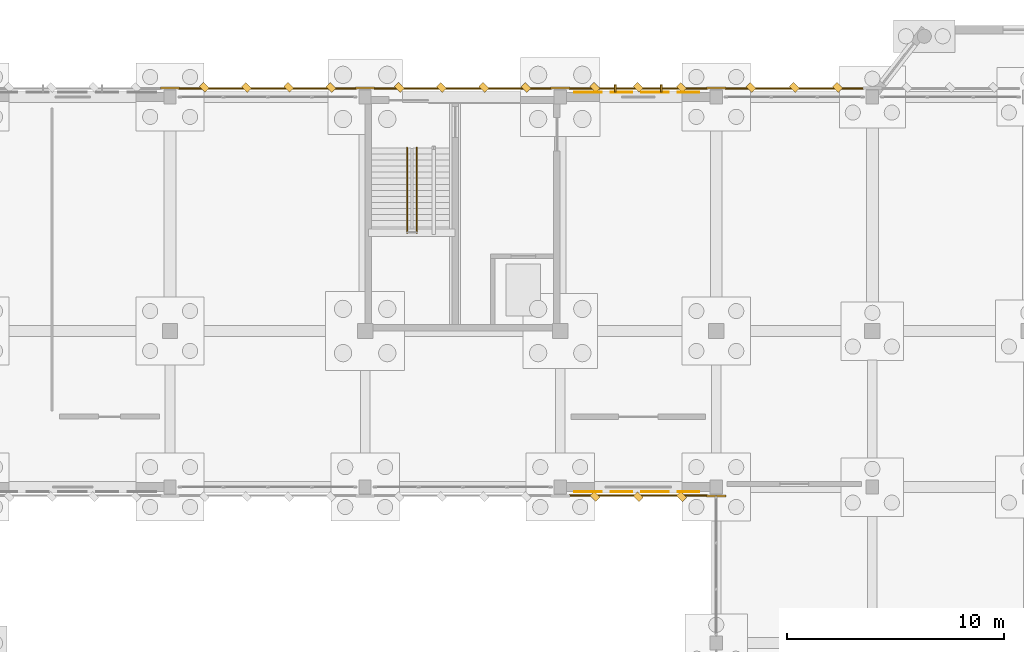
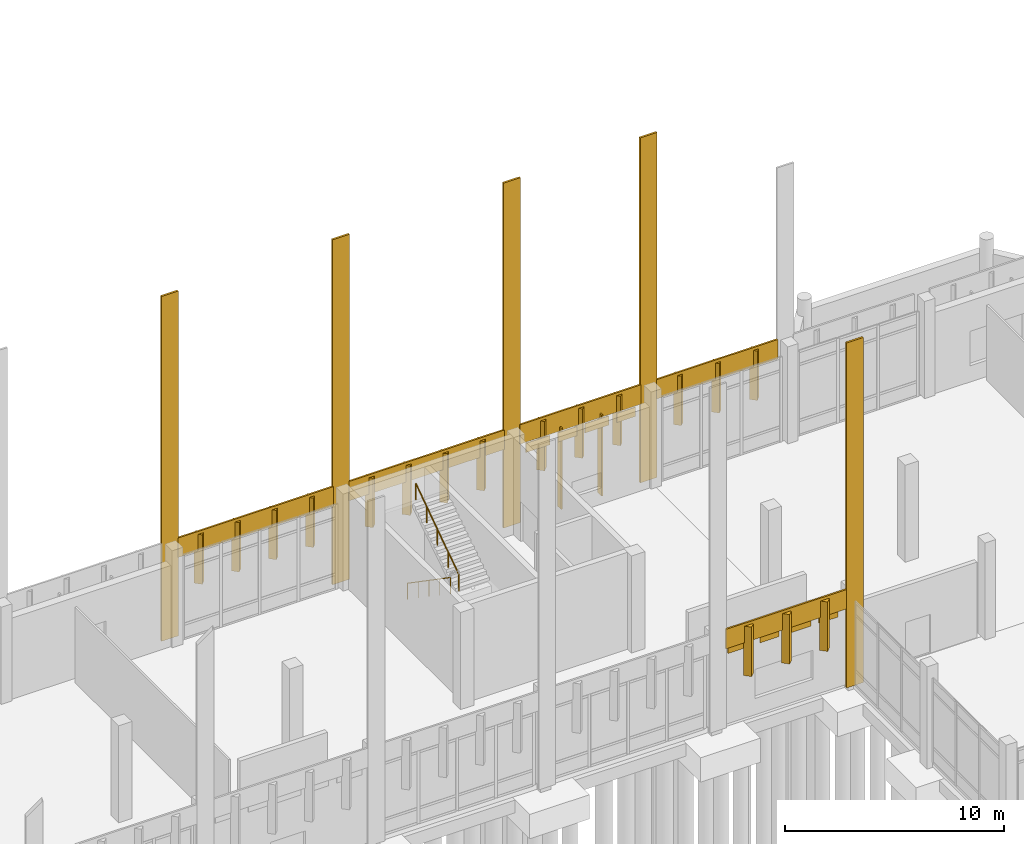
# One storey, part 104 of 109: 37 coverings, 2 railings.
"""IFC4 building model written with IfcOpenShell, lengths in metres."""

from ifc_helpers import new_model, si_unit, direction, frame, origin, origin_2d, place, context, subcontext, project, spatial, rectangle, circle, extrude, material, layer, layer_set, type_object, element, save


model = new_model("IFC4")

# Units and contexts
model_context = context("Model", 3, precision=1e-05, world=origin(), true_north=direction((0.0, 1.0)))
body_context = subcontext(model_context, "Body", "Model", "MODEL_VIEW")
ifc_project = project(units=[si_unit("LENGTHUNIT", "METRE"), si_unit("AREAUNIT", "SQUARE_METRE"), si_unit("VOLUMEUNIT", "CUBIC_METRE"), si_unit("PLANEANGLEUNIT", "RADIAN"), si_unit("MASSUNIT", "GRAM", prefix="KILO")], contexts=[model_context])

# Site, building, storey
site_placement = place(None, origin())
site = spatial("IfcSite", under=ifc_project, at=site_placement, CompositionType="ELEMENT")
building_placement = place(site_placement, origin())
building = spatial("IfcBuilding", under=site, at=building_placement, Name="Lusvemor Sports Hall", CompositionType="ELEMENT")
storey_placement = place(building_placement, origin())
storey = spatial("IfcBuildingStorey", under=building, at=storey_placement, Name="L00", CompositionType="ELEMENT", Elevation=0.0)

# Coverings
ifc_material_1 = material(Name="Precast granite-faced Concrete C40/50 architectural cladding", Category="masonry")
ifc_layer_1 = layer(ifc_material_1, 0.055908203125)
ifc_layer_set_1 = layer_set([ifc_layer_1], Name="Precast granite-faced Concrete C40/50 architectural cladding")
covering_type_1 = type_object("IfcCoveringType", Name="CLAD_RELIEF_FRIEZE", PredefinedType="CLADDING", material=ifc_layer_set_1)
for number, where, z_axis, x_axis, name in (
    (1, (93.60009765625, 115.610107421875, 0.0), (0.0, 0.0, 1.0), (1.0, 0.0, 0.0), "Art Nouveau Pilaster Cladding Casing 679"),
    (2, (102.60009765625, 115.610107421875, 0.0), (0.0, 0.0, 1.0), (1.0, 0.0, 0.0), "Art Nouveau Pilaster Cladding Casing 680"),
    (3, (111.60009765625, 115.610107421875, 0.0), (0.0, 0.0, 1.0), (1.0, 0.0, 0.0), "Art Nouveau Pilaster Cladding Casing 681"),
    (4, (118.800048828125, 115.610107421875, 0.0), (0.0, 0.0, 1.0), (1.0, 0.0, 0.0), "Art Nouveau Pilaster Cladding Casing 682"),
    (5, (118.800048828125, 96.7900390625, 0.0), (0.0, 0.0, 1.0), (1.0, 0.0, 0.0), "Art Nouveau Pilaster Cladding Casing 1161"),
):
    element("IfcCovering", number, at=place(storey_placement, frame(where, z_axis=z_axis, x_axis=x_axis)), inside=storey, type_object=covering_type_1, Name=name, PredefinedType="CLADDING", context=body_context, shape_type="SweptSolid", body=[
        extrude(rectangle(XDim=0.8798828125, YDim=0.10009765625, at=origin_2d()), origin(), (0.0, 0.0, 1.0), 19.199951171875),
    ])
ifc_material_2 = material(Name="Emerald polychrome glazed ceramic cladding on Concrete C40/50 backing", Category="concrete")
ifc_layer_2 = layer(ifc_material_2, 0.0458984375)
ifc_layer_set_2 = layer_set([ifc_layer_2], Name="Emerald polychrome glazed ceramic cladding on Concrete C40/50 backing")
covering_type_2 = type_object("IfcCoveringType", Name="CLAD_WAVE_EMERALD", PredefinedType="CLADDING", material=ifc_layer_set_2)
for number, where, z_axis, x_axis, name in (
    (6, (112.875, 115.41796875, 3.9248046875), (0.0, 0.0, 1.0), (1.0, 0.0, 0.0), "Art Nouveau Patterned Cladding PS-EW-L00-N-1-11-1"),
    (7, (115.97509765625, 115.41796875, 3.9248046875), (0.0, 0.0, 1.0), (1.0, 0.0, 0.0), "Art Nouveau Patterned Cladding PS-EW-L00-N-1-11-3"),
    (8, (112.875, 96.98193359375, 3.9248046875), (0.0, 0.0, 1.0), (1.0, 0.0, 0.0), "Art Nouveau Patterned Cladding PS-EW-L00-S-3-9-1"),
    (9, (115.97509765625, 96.98193359375, 3.9248046875), (0.0, 0.0, 1.0), (1.0, 0.0, 0.0), "Art Nouveau Patterned Cladding PS-EW-L00-S-3-9-3"),
):
    element("IfcCovering", number, at=place(storey_placement, frame(where, z_axis=z_axis, x_axis=x_axis)), inside=storey, type_object=covering_type_2, Name=name, PredefinedType="CLADDING", context=body_context, shape_type="SweptSolid", body=[
        extrude(rectangle(XDim=1.27099609375, YDim=0.0458984375, at=origin_2d()), origin(), (0.0, 0.0, 1.0), 0.510009765625),
    ])
for number, where, z_axis, x_axis, name in (
    (10, (97.125, 115.639892578125, 2.550048828125), (0.0, 0.0, 1.0), (0.707106781187, 0.707106781187, 0.0), "Patterned Diamond Cladding Rib 749"),
    (11, (101.02490234375, 115.639892578125, 2.550048828125), (0.0, 0.0, 1.0), (0.707106781187, 0.707106781187, 0.0), "Patterned Diamond Cladding Rib 751"),
    (12, (106.125, 115.639892578125, 2.550048828125), (0.0, 0.0, 1.0), (0.707106781187, 0.707106781187, 0.0), "Patterned Diamond Cladding Rib 769"),
    (13, (110.02490234375, 115.639892578125, 2.550048828125), (0.0, 0.0, 1.0), (0.707106781187, 0.707106781187, 0.0), "Patterned Diamond Cladding Rib 771"),
    (14, (115.199951171875, 115.639892578125, 2.550048828125), (0.0, 0.0, 1.0), (0.707106781187, 0.707106781187, 0.0), "Patterned Diamond Cladding Rib 789"),
    (15, (122.39990234375, 115.639892578125, 2.550048828125), (0.0, 0.0, 1.0), (0.707106781187, 0.707106781187, 0.0), "Patterned Diamond Cladding Rib 812"),
    (16, (115.199951171875, 96.760009765625, 2.550048828125), (0.0, 0.0, 1.0), (0.707106781187, 0.707106781187, 0.0), "Patterned Diamond Cladding Rib 1364"),
):
    element("IfcCovering", number, at=place(storey_placement, frame(where, z_axis=z_axis, x_axis=x_axis)), inside=storey, type_object=covering_type_2, Name=name, PredefinedType="CLADDING", context=body_context, shape_type="SweptSolid", body=[
        extrude(rectangle(XDim=0.280029296875, YDim=0.3798828125, at=origin_2d()), origin(), (0.0, 0.0, 1.0), 2.75),
    ])
ifc_material_3 = material(Name="Warm terracotta Art Nouveau ceramic cladding on Concrete C40/50 backing", Category="masonry")
ifc_layer_3 = layer(ifc_material_3, 0.0380859375)
ifc_layer_set_3 = layer_set([ifc_layer_3], Name="Warm terracotta Art Nouveau ceramic cladding on Concrete C40/50 backing")
covering_type_3 = type_object("IfcCoveringType", Name="CLAD_WAVE_OCHRE", PredefinedType="CLADDING", material=ifc_layer_set_3)
for number, where, z_axis, x_axis, name in (
    (17, (114.425048828125, 115.4140625, 3.9248046875), (0.0, 0.0, 1.0), (1.0, 0.0, 0.0), "Art Nouveau Patterned Cladding PS-EW-L00-N-1-11-2"),
    (18, (117.52490234375, 115.4140625, 3.9248046875), (0.0, 0.0, 1.0), (1.0, 0.0, 0.0), "Art Nouveau Patterned Cladding PS-EW-L00-N-1-11-4"),
    (19, (114.425048828125, 96.986083984375, 3.9248046875), (0.0, 0.0, 1.0), (1.0, 0.0, 0.0), "Art Nouveau Patterned Cladding PS-EW-L00-S-3-9-2"),
    (20, (117.52490234375, 96.986083984375, 3.9248046875), (0.0, 0.0, 1.0), (1.0, 0.0, 0.0), "Art Nouveau Patterned Cladding PS-EW-L00-S-3-9-4"),
):
    element("IfcCovering", number, at=place(storey_placement, frame(where, z_axis=z_axis, x_axis=x_axis)), inside=storey, type_object=covering_type_3, Name=name, PredefinedType="CLADDING", context=body_context, shape_type="SweptSolid", body=[
        extrude(rectangle(XDim=0.991943359375, YDim=0.0380859375, at=origin_2d()), origin(), (0.0, 0.0, 1.0), 0.510009765625),
    ])
for number, where, z_axis, x_axis, name in (
    (21, (98.10009765625, 115.590087890625, 4.3798828125), (0.0, 0.0, 1.0), (1.0, 0.0, 0.0), "Art Nouveau Spandrel Cornice 747"),
    (22, (107.10009765625, 115.590087890625, 4.3798828125), (0.0, 0.0, 1.0), (1.0, 0.0, 0.0), "Art Nouveau Spandrel Cornice 767"),
):
    element("IfcCovering", number, at=place(storey_placement, frame(where, z_axis=z_axis, x_axis=x_axis)), inside=storey, type_object=covering_type_3, Name=name, PredefinedType="CLADDING", context=body_context, shape_type="SweptSolid", body=[
        extrude(rectangle(XDim=8.179931640625, YDim=0.090087890625, at=origin_2d()), origin(), (0.0, 0.0, 1.0), 1.080078125),
    ])
for number, where, z_axis, x_axis, name in (
    (23, (115.199951171875, 115.590087890625, 4.3798828125), (0.0, 0.0, 1.0), (1.0, 0.0, 0.0), "Art Nouveau Spandrel Cornice 787"),
    (24, (122.39990234375, 115.590087890625, 4.3798828125), (0.0, 0.0, 1.0), (1.0, 0.0, 0.0), "Art Nouveau Spandrel Cornice 810"),
    (25, (115.199951171875, 96.81005859375, 4.3798828125), (0.0, 0.0, 1.0), (1.0, 0.0, 0.0), "Art Nouveau Spandrel Cornice 1362"),
):
    element("IfcCovering", number, at=place(storey_placement, frame(where, z_axis=z_axis, x_axis=x_axis)), inside=storey, type_object=covering_type_3, Name=name, PredefinedType="CLADDING", context=body_context, shape_type="SweptSolid", body=[
        extrude(rectangle(XDim=6.3798828125, YDim=0.090087890625, at=origin_2d()), origin(), (0.0, 0.0, 1.0), 1.080078125),
    ])
ifc_material_4 = material(Name="Emerald polychrome glazed ceramic cladding on Concrete C40/50 backing", Category="concrete")
ifc_layer_4 = layer(ifc_material_4, 0.35009765625)
ifc_layer_set_4 = layer_set([ifc_layer_4], Name="Emerald polychrome glazed ceramic cladding on Concrete C40/50 backing")
covering_type_4 = type_object("IfcCoveringType", Name="FIN_BRISE_CER_350", PredefinedType="MOLDING", material=ifc_layer_set_4)
for number, where, z_axis, x_axis, name in (
    (26, (114.139892578125, 115.580078125, 0.10009765625), (0.0, 0.0, 1.0), (1.0, 0.0, 0.0), "Wing Brise-Soleil Fin L00-N-1-11-1"),
    (27, (116.260009765625, 115.580078125, 0.10009765625), (0.0, 0.0, 1.0), (1.0, 0.0, 0.0), "Wing Brise-Soleil Fin L00-N-1-11-2"),
):
    element("IfcCovering", number, at=place(storey_placement, frame(where, z_axis=z_axis, x_axis=x_axis)), inside=storey, type_object=covering_type_4, Name=name, PredefinedType="MOLDING", context=body_context, shape_type="SweptSolid", body=[
        extrude(rectangle(XDim=0.080078125, YDim=0.35009765625, at=origin_2d()), origin(), (0.0, 0.0, 1.0), 4.52001953125),
    ])
ifc_material_5 = material(Name="Warm terracotta Art Nouveau ceramic cladding on Concrete C40/50 backing", Category="masonry")
ifc_layer_5 = layer(ifc_material_5, 0.449951171875)
ifc_layer_set_5 = layer_set([ifc_layer_5], Name="Warm terracotta Art Nouveau ceramic cladding on Concrete C40/50 backing")
covering_type_5 = type_object("IfcCoveringType", Name="FIN_BRISE_CER_450", PredefinedType="MOLDING", material=ifc_layer_set_5)
for number, where, z_axis, x_axis, name in (
    (28, (95.175048828125, 115.639892578125, 2.550048828125), (0.0, 0.0, 1.0), (0.707106781187, 0.707106781187, 0.0), "Patterned Diamond Cladding Rib 748"),
    (29, (99.074951171875, 115.639892578125, 2.550048828125), (0.0, 0.0, 1.0), (0.707106781187, 0.707106781187, 0.0), "Patterned Diamond Cladding Rib 750"),
    (30, (104.175048828125, 115.639892578125, 2.550048828125), (0.0, 0.0, 1.0), (0.707106781187, 0.707106781187, 0.0), "Patterned Diamond Cladding Rib 768"),
    (31, (108.074951171875, 115.639892578125, 2.550048828125), (0.0, 0.0, 1.0), (0.707106781187, 0.707106781187, 0.0), "Patterned Diamond Cladding Rib 770"),
    (32, (113.199951171875, 115.639892578125, 2.550048828125), (0.0, 0.0, 1.0), (0.707106781187, 0.707106781187, 0.0), "Patterned Diamond Cladding Rib 788"),
    (33, (117.199951171875, 115.639892578125, 2.550048828125), (0.0, 0.0, 1.0), (0.707106781187, 0.707106781187, 0.0), "Patterned Diamond Cladding Rib 790"),
    (34, (120.39990234375, 115.639892578125, 2.550048828125), (0.0, 0.0, 1.0), (0.707106781187, 0.707106781187, 0.0), "Patterned Diamond Cladding Rib 811"),
    (35, (124.39990234375, 115.639892578125, 2.550048828125), (0.0, 0.0, 1.0), (0.707106781187, 0.707106781187, 0.0), "Patterned Diamond Cladding Rib 813"),
    (36, (113.199951171875, 96.760009765625, 2.550048828125), (0.0, 0.0, 1.0), (0.707106781187, 0.707106781187, 0.0), "Patterned Diamond Cladding Rib 1363"),
    (37, (117.199951171875, 96.760009765625, 2.550048828125), (0.0, 0.0, 1.0), (0.707106781187, 0.707106781187, 0.0), "Patterned Diamond Cladding Rib 1365"),
):
    element("IfcCovering", number, at=place(storey_placement, frame(where, z_axis=z_axis, x_axis=x_axis)), inside=storey, type_object=covering_type_5, Name=name, PredefinedType="MOLDING", context=body_context, shape_type="SweptSolid", body=[
        extrude(rectangle(XDim=0.280029296875, YDim=0.3798828125, at=origin_2d()), origin(), (0.0, 0.0, 1.0), 2.75),
    ])

# Railings
ifc_material_6 = material(Name="Bronze-finished wrought-steel Art Nouveau balustrade", Category="steel")
railing_type = type_object("IfcRailingType", Name="RAIL_HANDRAIL_092", PredefinedType="HANDRAIL", material=ifc_material_6)
railing_1_placement = place(storey_placement, frame((104.5400390625, 112.85009765625, 0.0)))
element("IfcRailing", 38, at=railing_1_placement, inside=storey, type_object=railing_type, Name="Stair STR-C4-L00 Handrail F1", PredefinedType="HANDRAIL", context=body_context, shape_type="SweptSolid", body=[
    extrude(circle(Radius=0.02392578125, at=origin_2d()), frame((0.0, 0.0, 0.89599609375), z_axis=(0.0, -0.823567234665, 0.567218661528), x_axis=(1.0, 0.0, 0.0)), (0.0, 0.0, 1.0), 4.760009765625),
    extrude(circle(Radius=0.02099609375, at=origin_2d()), origin(), (0.0, 0.0, 1.0), 0.871826171875),
    extrude(circle(Radius=0.02099609375, at=origin_2d()), frame((0.0, -0.97998046875, 0.675048828125)), (0.0, 0.0, 1.0), 0.871826171875),
    extrude(circle(Radius=0.02099609375, at=origin_2d()), frame((0.0, -1.9599609375, 1.35009765625)), (0.0, 0.0, 1.0), 0.871826171875),
    extrude(circle(Radius=0.02099609375, at=origin_2d()), frame((0.0, -2.940185546875, 2.02490234375)), (0.0, 0.0, 1.0), 0.871826171875),
    extrude(circle(Radius=0.02099609375, at=origin_2d()), frame((0.0, -3.920166015625, 2.699951171875)), (0.0, 0.0, 1.0), 0.871826171875),
])
railing_2_placement = place(storey_placement, frame((104.97998046875, 108.929931640625, 2.699951171875)))
element("IfcRailing", 39, at=railing_2_placement, inside=storey, type_object=railing_type, Name="Stair STR-C4-L00 Handrail F2", PredefinedType="HANDRAIL", context=body_context, shape_type="SweptSolid", body=[
    extrude(circle(Radius=0.02392578125, at=origin_2d()), frame((0.0, 0.0, 0.89599609375), z_axis=(0.0, 0.823567234665, 0.567218661528), x_axis=(-1.0, 0.0, 0.0)), (0.0, 0.0, 1.0), 4.760009765625),
    extrude(circle(Radius=0.02099609375, at=origin_2d()), origin(), (0.0, 0.0, 1.0), 0.871826171875),
    extrude(circle(Radius=0.02099609375, at=origin_2d()), frame((0.0, 0.97998046875, 0.675048828125)), (0.0, 0.0, 1.0), 0.871826171875),
    extrude(circle(Radius=0.02099609375, at=origin_2d()), frame((0.0, 1.9599609375, 1.35009765625)), (0.0, 0.0, 1.0), 0.871826171875),
    extrude(circle(Radius=0.02099609375, at=origin_2d()), frame((0.0, 2.940185546875, 2.02490234375)), (0.0, 0.0, 1.0), 0.871826171875),
    extrude(circle(Radius=0.02099609375, at=origin_2d()), frame((0.0, 3.920166015625, 2.699951171875)), (0.0, 0.0, 1.0), 0.871826171875),
])

save(model, "model.ifc")
